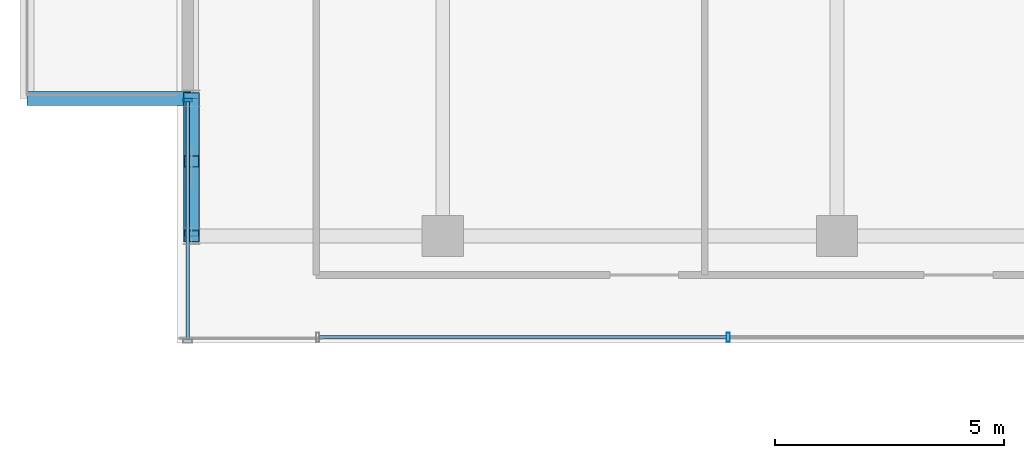
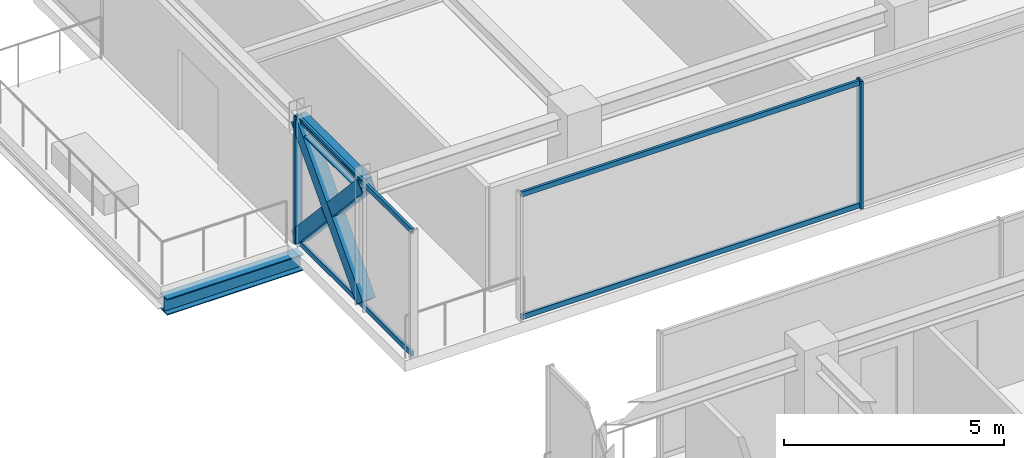
# One storey, part 11 of 40: 9 members, 2 beams, 2 elements without a shape of their own.
"""IFC4 building model written with IfcOpenShell, lengths in metres."""

from ifc_helpers import new_model, si_unit, direction, frame, origin, origin_2d, place, context, subcontext, project, spatial, hollow_rectangle, i_section, extrude, source, transform, mapped, material, material_profile, profile_set, type_object, element, aggregate, save


model = new_model("IFC4")

# Units and contexts
model_context = context("Model", 3, precision=1e-05, world=origin(), true_north=direction((0.0, 1.0)))
body_context = subcontext(model_context, "Body", "Model", "MODEL_VIEW")
ifc_project = project(units=[si_unit("LENGTHUNIT", "METRE"), si_unit("AREAUNIT", "SQUARE_METRE"), si_unit("VOLUMEUNIT", "CUBIC_METRE"), si_unit("PLANEANGLEUNIT", "RADIAN"), si_unit("MASSUNIT", "GRAM", prefix="KILO")], contexts=[model_context])

# Site, building, storey
site_placement = place(None, origin())
site = spatial("IfcSite", under=ifc_project, at=site_placement, CompositionType="ELEMENT")
building_placement = place(site_placement, origin())
building = spatial("IfcBuilding", under=site, at=building_placement, Name="Nahalor Promenade Grand Hotel", CompositionType="ELEMENT")
storey_placement = place(building_placement, frame((0.0, 0.0, 288.800048828125)))
storey = spatial("IfcBuildingStorey", under=building, at=storey_placement, Name="L74", CompositionType="ELEMENT", Elevation=288.800048828125)

# Beams
ifc_material_1 = material(Name="Steel S355JR", Category="steel")
ifc_material_profile_1 = material_profile(ifc_material_1, i_section(OverallWidth=0.3, OverallDepth=0.45, WebThickness=0.014, FlangeThickness=0.026, at=origin_2d()), Name="HEB 450")
ifc_profile_set_1 = profile_set([ifc_material_profile_1], Name="Steel S355JR")
beam_type_1 = type_object("IfcBeamType", Name="Beam-Outrigger-HEB450", PredefinedType="BEAM", material=ifc_profile_set_1)
shared_shape_1 = source(origin(), body_context, "Body", "SweptSolid", [
    extrude(i_section(OverallWidth=0.3, OverallDepth=0.45, WebThickness=0.014, FlangeThickness=0.026, at=origin_2d()), origin(), (0.0, 0.0, 1.0), 3.590087890625),
])
beam_1_placement = place(storey_placement, frame((-26.070068359375, 8.39990234375, -0.505126953125), z_axis=(1.0, 0.0, 0.0), x_axis=(0.0, 1.0, 0.0)))
element("IfcBeam", 1, at=beam_1_placement, inside=storey, type_object=beam_type_1, Name="BM-L74-BC-02-1", PredefinedType="BEAM", context=body_context, shape_type="MappedRepresentation", body=[
    mapped(shared_shape_1, transform((0.0, 0.0, 0.0), scale=1.0)),
])
ifc_material_profile_2 = material_profile(ifc_material_1, i_section(OverallWidth=0.3, OverallDepth=0.36, WebThickness=0.0125, FlangeThickness=0.0225, at=origin_2d()), Name="HEB 360")
ifc_profile_set_2 = profile_set([ifc_material_profile_2], Name="Steel S355JR")
beam_type_2 = type_object("IfcBeamType", Name="Beam-Spandrel-HEB360", PredefinedType="SPANDREL", material=ifc_profile_set_2)
shared_shape_2 = source(origin(), body_context, "Body", "SweptSolid", [
    extrude(i_section(OverallWidth=0.3, OverallDepth=0.36, WebThickness=0.0125, FlangeThickness=0.0225, at=origin_2d()), origin(), (0.0, 0.0, 1.0), 3.0),
])
beam_2_placement = place(storey_placement, frame((-22.47998046875, 5.39990234375, 3.369873046875), z_axis=(0.0, 1.0, 0.0), x_axis=(-1.0, 0.0, 0.0)))
element("IfcBeam", 2, at=beam_2_placement, inside=storey, type_object=beam_type_2, Name="BM-L74-SP-W-3", PredefinedType="SPANDREL", context=body_context, shape_type="MappedRepresentation", body=[
    mapped(shared_shape_2, transform((0.0, 0.0, 0.0), scale=1.0)),
])

# Members
ifc_material_profile_3 = material_profile(ifc_material_1, hollow_rectangle(XDim=0.35, YDim=0.35, WallThickness=0.02, at=origin_2d()), Name="SHS 350x350x20")
ifc_profile_set_3 = profile_set([ifc_material_profile_3], Name="Steel S355JR")
member_type_1 = type_object("IfcMemberType", Name="Mem-VoidBrace-SHS350", PredefinedType="BRACE", material=ifc_profile_set_3)
shared_shape_3 = source(origin(), body_context, "Body", "SweptSolid", [
    extrude(hollow_rectangle(XDim=0.35, YDim=0.35, WallThickness=0.02, at=origin_2d()), origin(), (0.0, 0.0, 1.0), 4.4228515625),
])
member_1_placement = place(storey_placement, frame((-22.47998046875, 5.39990234375, 0.14990234375), z_axis=(0.0, 0.678280102733, 0.734803444627), x_axis=(-1.0, 0.0, 0.0)))
element("IfcMember", 3, at=member_1_placement, inside=storey, type_object=member_type_1, Name="EXO-L74-VX1-W1", PredefinedType="BRACE", context=body_context, shape_type="MappedRepresentation", body=[
    mapped(shared_shape_3, transform((0.0, 0.0, 0.0), scale=1.0)),
])
shared_shape_4 = source(origin(), body_context, "Body", "SweptSolid", [
    extrude(hollow_rectangle(XDim=0.35, YDim=0.35, WallThickness=0.02, at=origin_2d()), origin(), (0.0, 0.0, 1.0), 2.02392578125),
])
for number, where, z_axis, x_axis, name in (
    (4, (-22.47998046875, 8.39990234375, 0.14990234375), (0.0, -0.678255053132, 0.734826566545), (1.0, 0.0, 0.0), "EXO-L74-VX2-W1A"),
    (5, (-22.47998046875, 6.772705078125, 1.912841796875), (0.0, -0.678315173958, 0.734771069639), (1.0, 0.0, 0.0), "EXO-L74-VX2-W1B"),
):
    element("IfcMember", number, at=place(storey_placement, frame(where, z_axis=z_axis, x_axis=x_axis)), inside=storey, type_object=member_type_1, Name=name, PredefinedType="BRACE", context=body_context, shape_type="MappedRepresentation", body=[
        mapped(shared_shape_4, transform((0.0, 0.0, 0.0), scale=1.0)),
    ])

# Curtain wall, members
ifc_material_2 = material(Name="Anodised Bronze Aluminium EN AW-6063 T6", Category="aluminium")
curtain_wall_type = type_object("IfcCurtainWallType", Name="CW3 Elliptical-Void Collar Unitised Curtain Wall", PredefinedType="USERDEFINED", material=ifc_material_2)
curtain_wall_1_placement = place(storey_placement, origin())
curtain_wall_1 = element("IfcCurtainWall", 6, at=curtain_wall_1_placement, inside=storey, type_object=curtain_wall_type, Name="L74 Curtain Wall CW-L74-VOID-WN1", ObjectType="UNITISED_CURTAIN_WALL", PredefinedType="USERDEFINED")
ifc_material_profile_4 = material_profile(ifc_material_2, hollow_rectangle(XDim=0.07, YDim=0.14, WallThickness=0.004, at=origin_2d()), Name="CWT 70x140x4")
ifc_profile_set_4 = profile_set([ifc_material_profile_4], Name="Anodised Bronze Aluminium EN AW-6063 T6")
member_type_2 = type_object("IfcMemberType", Name="CWT3 Void Collar Transom 70x140", PredefinedType="USERDEFINED", material=ifc_profile_set_4)
shared_shape_5 = source(origin(), body_context, "Body", "SweptSolid", [
    extrude(hollow_rectangle(XDim=0.07, YDim=0.14, WallThickness=0.004, at=origin_2d()), origin(), (0.0, 0.0, 1.0), 8.881591796875),
])
member_2_placement = place(storey_placement, frame((-19.68994140625, 3.19091796875, 0.070068359375), z_axis=(1.0, 0.0, 0.0), x_axis=(0.0, 1.0, 0.0)))
member_2 = element("IfcMember", 7, at=member_2_placement, type_object=member_type_2, Name="CW-L74-VOID-WN1 Transom 0-0", ObjectType="TRANSOM", PredefinedType="USERDEFINED", context=body_context, shape_type="MappedRepresentation", body=[
    mapped(shared_shape_5, transform((0.0, 0.0, 0.0), scale=1.0)),
])
member_3_placement = place(storey_placement, frame((-19.68994140625, 3.19091796875, 3.47998046875), z_axis=(1.0, 0.0, 0.0), x_axis=(0.0, 1.0, 0.0)))
member_3 = element("IfcMember", 8, at=member_3_placement, type_object=member_type_2, Name="CW-L74-VOID-WN1 Transom 0-1", ObjectType="TRANSOM", PredefinedType="USERDEFINED", context=body_context, shape_type="MappedRepresentation", body=[
    mapped(shared_shape_5, transform((0.0, 0.0, 0.0), scale=1.0)),
])

# Curtain wall, member
curtain_wall_2_placement = place(storey_placement, origin())
curtain_wall_2 = element("IfcCurtainWall", 9, at=curtain_wall_2_placement, inside=storey, type_object=curtain_wall_type, Name="L74 Curtain Wall CW-L74-W-2", ObjectType="UNITISED_CURTAIN_WALL", PredefinedType="USERDEFINED")
ifc_material_profile_5 = material_profile(ifc_material_2, hollow_rectangle(XDim=0.07, YDim=0.2, WallThickness=0.005, at=origin_2d()), Name="CWM 70x200x5")
ifc_profile_set_5 = profile_set([ifc_material_profile_5], Name="Anodised Bronze Aluminium EN AW-6063 T6")
member_type_3 = type_object("IfcMemberType", Name="CWM3 Void Collar Mullion 70x200", PredefinedType="MULLION", material=ifc_profile_set_5)
shared_shape_6 = source(origin(), body_context, "Body", "SweptSolid", [
    extrude(hollow_rectangle(XDim=0.07, YDim=0.2, WallThickness=0.005, at=origin_2d()), origin(), (0.0, 0.0, 1.0), 3.550048828125),
])
member_4_placement = place(storey_placement, frame((-22.56005859375, 8.364990234375, 0.0), z_axis=(0.0, 0.0, 1.0), x_axis=(0.0, 1.0, 0.0)))
member_4 = element("IfcMember", 10, at=member_4_placement, type_object=member_type_3, Name="CW-L74-W-2 Mullion 1", PredefinedType="MULLION", context=body_context, shape_type="MappedRepresentation", body=[
    mapped(shared_shape_6, transform((0.0, 0.0, 0.0), scale=1.0)),
])

# Member
member_5_placement = place(storey_placement, frame((-10.7734375, 3.19091796875, 0.0), z_axis=(0.0, 0.0, 1.0), x_axis=(1.0, 0.0, 0.0)))
member_5 = element("IfcMember", 11, at=member_5_placement, type_object=member_type_3, Name="CW-L74-VOID-WN1 Mullion 1", PredefinedType="MULLION", context=body_context, shape_type="MappedRepresentation", body=[
    mapped(shared_shape_6, transform((0.0, 0.0, 0.0), scale=1.0)),
])

aggregate(curtain_wall_1, [member_5, member_2, member_3])

shared_shape_7 = source(origin(), body_context, "Body", "SweptSolid", [
    extrude(hollow_rectangle(XDim=0.07, YDim=0.14, WallThickness=0.004, at=origin_2d()), origin(), (0.0, 0.0, 1.0), 5.18896484375),
])
member_6_placement = place(storey_placement, frame((-22.56005859375, 3.14111328125, 0.070068359375), z_axis=(0.0, 1.0, 0.0), x_axis=(-1.0, 0.0, 0.0)))
member_6 = element("IfcMember", 12, at=member_6_placement, type_object=member_type_2, Name="CW-L74-W-2 Transom 0-0", ObjectType="TRANSOM", PredefinedType="USERDEFINED", context=body_context, shape_type="MappedRepresentation", body=[
    mapped(shared_shape_7, transform((0.0, 0.0, 0.0), scale=1.0)),
])

member_7_placement = place(storey_placement, frame((-22.56005859375, 3.14111328125, 3.47998046875), z_axis=(0.0, 1.0, 0.0), x_axis=(-1.0, 0.0, 0.0)))
member_7 = element("IfcMember", 13, at=member_7_placement, type_object=member_type_2, Name="CW-L74-W-2 Transom 0-1", ObjectType="TRANSOM", PredefinedType="USERDEFINED", context=body_context, shape_type="MappedRepresentation", body=[
    mapped(shared_shape_7, transform((0.0, 0.0, 0.0), scale=1.0)),
])

aggregate(curtain_wall_2, [member_4, member_6, member_7])

save(model, "model.ifc")
